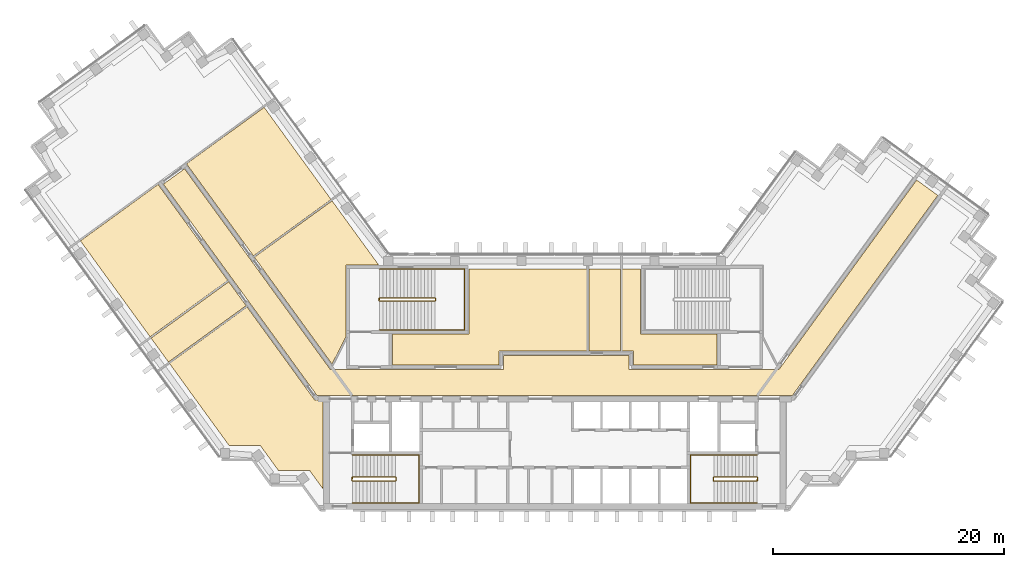
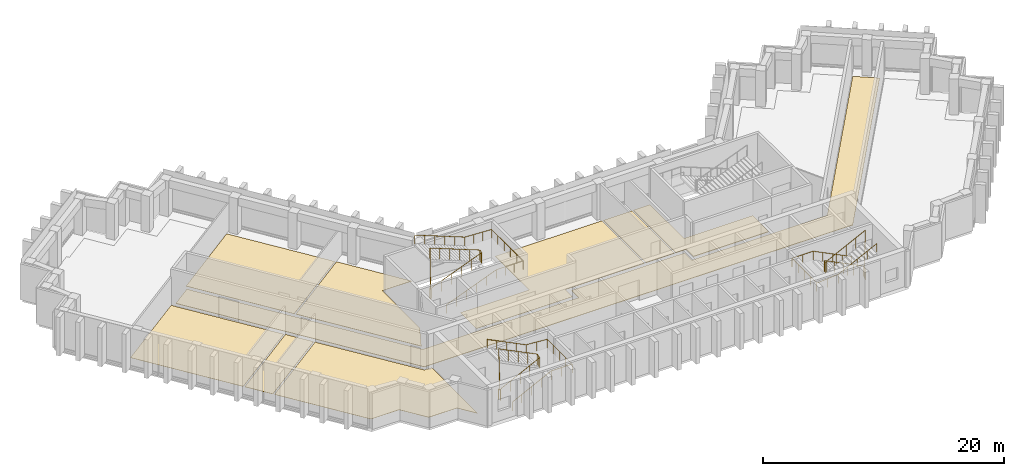
# One storey, part 8 of 9: 9 coverings, 6 railings.
"""IFC4 building model written with IfcOpenShell, lengths in metres."""

from ifc_helpers import new_model, si_unit, direction, frame, origin, origin_2d, place, context, subcontext, project, spatial, polyline, circle, outline, extrude, material, layer, layer_set, type_object, element, save


model = new_model("IFC4")

# Units and contexts
model_context = context("Model", 3, precision=1e-05, world=origin(), true_north=direction((0.0, 1.0)))
body_context = subcontext(model_context, "Body", "Model", "MODEL_VIEW")
ifc_project = project(units=[si_unit("LENGTHUNIT", "METRE"), si_unit("AREAUNIT", "SQUARE_METRE"), si_unit("VOLUMEUNIT", "CUBIC_METRE"), si_unit("PLANEANGLEUNIT", "RADIAN"), si_unit("MASSUNIT", "GRAM", prefix="KILO")], contexts=[model_context])

# Site, building, storey
site_placement = place(None, origin())
site = spatial("IfcSite", under=ifc_project, at=site_placement, CompositionType="ELEMENT")
building_placement = place(site_placement, origin())
building = spatial("IfcBuilding", under=site, at=building_placement, Name="Quipu Civic Tower", CompositionType="ELEMENT")
storey_placement = place(building_placement, frame((0.0, 0.0, 218.0)))
storey = spatial("IfcBuildingStorey", under=building, at=storey_placement, Name="L51", CompositionType="ELEMENT", Elevation=218.0)

# Coverings
ifc_material_1 = material(Name="Carpet tile on raised access floor")
ifc_layer_1 = layer(ifc_material_1, 0.02001953125)
ifc_layer_set_1 = layer_set([ifc_layer_1], Name="Carpet tile on raised access floor")
covering_type_1 = type_object("IfcCoveringType", Name="Carpet tile floor finish 20", PredefinedType="FLOORING", material=ifc_layer_set_1)
covering_1_placement = place(storey_placement, origin())
element("IfcCovering", 1, at=covering_1_placement, inside=storey, type_object=covering_type_1, Name="Carpet tile floor finish 20", PredefinedType="FLOORING", context=body_context, shape_type="SweptSolid", body=[
    extrude(outline(polyline([(-33.344970703125, 1.64501953125), (-26.6220703125, 6.529052734375), (-20.77490234375, -1.51904296875), (-20.070068359375, -1.52001953125), (-20.070068359375, -9.195068359375), (-21.196044921875, -7.64599609375), (-23.89501953125, -7.64599609375), (-25.48193359375, -5.4619140625), (-28.181884765625, -5.4609375), (-33.344970703125, 1.64501953125)])), origin(), (0.0, 0.0, 1.0), 0.02001953125),
])
covering_2_placement = place(storey_placement, origin())
element("IfcCovering", 2, at=covering_2_placement, inside=storey, type_object=covering_type_1, Name="Carpet tile floor finish 20", PredefinedType="FLOORING", context=body_context, shape_type="SweptSolid", body=[
    extrude(outline(polyline([(-14.030029296875, 1.52001953125), (-14.030029296875, 4.179931640625), (-7.429931640625, 4.180908203125), (-7.429931640625, 9.830078125), (2.80908203125, 9.830078125), (2.80908203125, 2.719970703125), (-4.818115234375, 2.719970703125), (-4.820068359375, 1.52001953125), (-14.030029296875, 1.52001953125)])), origin(), (0.0, 0.0, 1.0), 0.02001953125),
])
covering_3_placement = place(storey_placement, origin())
element("IfcCovering", 3, at=covering_3_placement, inside=storey, type_object=covering_type_1, Name="Carpet tile floor finish 20", PredefinedType="FLOORING", context=body_context, shape_type="SweptSolid", body=[
    extrude(outline(polyline([(-41.048095703125, 12.2470703125), (-34.324951171875, 17.131103515625), (-28.2919921875, 8.826904296875), (-35.01611328125, 3.943115234375), (-41.048095703125, 12.2470703125)])), origin(), (0.0, 0.0, 1.0), 0.02001953125),
])
covering_4_placement = place(storey_placement, origin())
element("IfcCovering", 4, at=covering_4_placement, inside=storey, type_object=covering_type_1, Name="Carpet tile floor finish 20", PredefinedType="FLOORING", context=body_context, shape_type="SweptSolid", body=[
    extrude(outline(polyline([(-31.865966796875, 18.9189453125), (-25.14306640625, 23.802978515625), (-19.35107421875, 15.8291015625), (-26.073974609375, 10.946044921875), (-31.865966796875, 18.9189453125)])), origin(), (0.0, 0.0, 1.0), 0.02001953125),
])
ifc_material_2 = material(Name="Ceramic floor tile")
ifc_layer_2 = layer(ifc_material_2, 0.030029296875)
ifc_layer_set_2 = layer_set([ifc_layer_2], Name="Ceramic floor tile")
covering_type_2 = type_object("IfcCoveringType", Name="Ceramic tile floor finish 30", PredefinedType="FLOORING", material=ifc_layer_set_2)
covering_5_placement = place(storey_placement, origin())
element("IfcCovering", 5, at=covering_5_placement, inside=storey, type_object=covering_type_2, Name="Ceramic tile floor finish 30", PredefinedType="FLOORING", context=body_context, shape_type="SweptSolid", body=[
    extrude(outline(polyline([(-25.990966796875, 10.8330078125), (-19.26806640625, 15.716064453125), (-15.238037109375, 10.169921875), (-18.070068359375, 10.1689453125), (-18.070068359375, 3.94189453125), (-19.27197265625, 1.583984375), (-25.990966796875, 10.8330078125)])), origin(), (0.0, 0.0, 1.0), 0.030029296875),
])
covering_6_placement = place(storey_placement, origin())
element("IfcCovering", 6, at=covering_6_placement, inside=storey, type_object=covering_type_2, Name="Ceramic tile floor finish 30", PredefinedType="FLOORING", context=body_context, shape_type="SweptSolid", body=[
    extrude(outline(polyline([(-34.931884765625, 3.830078125), (-28.208984375, 8.714111328125), (-26.705078125, 6.64208984375), (-33.427978515625, 1.758056640625), (-34.931884765625, 3.830078125)])), origin(), (0.0, 0.0, 1.0), 0.030029296875),
])
covering_7_placement = place(storey_placement, origin())
element("IfcCovering", 7, at=covering_7_placement, inside=storey, type_object=covering_type_2, Name="Ceramic tile floor finish 30", PredefinedType="FLOORING", context=body_context, shape_type="SweptSolid", body=[
    extrude(outline(polyline([(2.948974609375, 2.719970703125), (2.948974609375, 9.830078125), (5.68798828125, 9.830078125), (5.68798828125, 2.719970703125), (2.948974609375, 2.719970703125)])), origin(), (0.0, 0.0, 1.0), 0.030029296875),
])
ifc_material_3 = material(Name="Sealed cement screed")
ifc_layer_3 = layer(ifc_material_3, 0.050048828125)
ifc_layer_set_3 = layer_set([ifc_layer_3], Name="Sealed cement screed")
covering_type_3 = type_object("IfcCoveringType", Name="Sealed screed floor finish 50", PredefinedType="FLOORING", material=ifc_layer_set_3)
covering_8_placement = place(storey_placement, origin())
element("IfcCovering", 8, at=covering_8_placement, inside=storey, type_object=covering_type_3, Name="Sealed screed floor finish 50", PredefinedType="FLOORING", context=body_context, shape_type="SweptSolid", body=[
    extrude(outline(polyline([(5.827880859375, 2.719970703125), (5.827880859375, 9.830078125), (7.429931640625, 9.830078125), (7.430908203125, 4.179931640625), (14.030029296875, 4.179931640625), (14.030029296875, 1.52001953125), (6.820068359375, 1.52001953125), (6.820068359375, 2.718994140625), (5.827880859375, 2.719970703125)])), origin(), (0.0, 0.0, 1.0), 0.050048828125),
])

# Railings
ifc_material_4 = material(Name="Stainless steel", Category="steel")
railing_type_1 = type_object("IfcRailingType", Name="Stair guard 1100", PredefinedType="GUARDRAIL", material=ifc_material_4)
railing_1_placement = place(storey_placement, frame((-17.5, -8.550048828125, 0.15380859375)))
element("IfcRailing", 9, at=railing_1_placement, inside=storey, type_object=railing_type_1, Name="Stair 1 guard", PredefinedType="GUARDRAIL", context=body_context, shape_type="SweptSolid", body=[
    extrude(circle(Radius=0.02392578125, at=origin_2d()), frame((0.0, 0.0, 1.076171875), z_axis=(0.895751851347, 0.0, 0.444554407028), x_axis=(0.0, 1.0, 0.0)), (0.0, 0.0, 1.0), 4.15283203125),
    extrude(circle(Radius=0.02392578125, at=origin_2d()), frame((3.719970703125, 0.0, 2.92236328125), z_axis=(0.707106781187, 0.707106781187, 0.0), x_axis=(-0.707106781187, 0.707106781187, 0.0)), (0.0, 0.0, 1.0), 0.07080078125),
    extrude(circle(Radius=0.02392578125, at=origin_2d()), frame((3.77001953125, 0.050048828125, 2.92236328125), z_axis=(0.0, 1.0, 0.0), x_axis=(-1.0, 0.0, 0.0)), (0.0, 0.0, 1.0), 0.25),
    extrude(circle(Radius=0.02392578125, at=origin_2d()), frame((3.77001953125, 0.300048828125, 2.92236328125), z_axis=(-0.295599637079, 0.295599637079, 0.908428152975), x_axis=(-0.707106781187, -0.707106781187, 0.0)), (0.0, 0.0, 1.0), 0.16943359375),
    extrude(circle(Radius=0.02392578125, at=origin_2d()), frame((3.719970703125, 0.35009765625, 3.076171875), z_axis=(-0.895751851347, 0.0, 0.444554407028), x_axis=(0.0, -1.0, 0.0)), (0.0, 0.0, 1.0), 4.15283203125),
    extrude(circle(Radius=0.02392578125, at=origin_2d()), frame((0.0, 0.35009765625, 4.92236328125), z_axis=(-0.012476181752, -0.074796231092, -0.997120789425), x_axis=(0.986372223864, -0.164529134168, 0.0)), (0.0, 0.0, 1.0), 4.011474609375),
    extrude(circle(Radius=0.02392578125, at=origin_2d()), frame((-0.050048828125, 0.050048828125, 0.92236328125), z_axis=(0.0, 1.0, 0.0), x_axis=(-1.0, 0.0, 0.0)), (0.0, 0.0, 1.0), 0.25),
    extrude(circle(Radius=0.02099609375, at=origin_2d()), origin(), (0.0, 0.0, 1.0), 1.052001953125),
    extrude(circle(Radius=0.02099609375, at=origin_2d()), frame((0.929931640625, 0.0, 0.46142578125)), (0.0, 0.0, 1.0), 1.052001953125),
    extrude(circle(Radius=0.02099609375, at=origin_2d()), frame((1.85986328125, 0.0, 0.923095703125)), (0.0, 0.0, 1.0), 1.052001953125),
    extrude(circle(Radius=0.02099609375, at=origin_2d()), frame((2.7900390625, 0.0, 1.384765625)), (0.0, 0.0, 1.0), 1.052001953125),
    extrude(circle(Radius=0.02099609375, at=origin_2d()), frame((3.719970703125, 0.0, 1.84619140625)), (0.0, 0.0, 1.0), 1.052001953125),
    extrude(circle(Radius=0.02099609375, at=origin_2d()), frame((3.77001953125, 0.050048828125, 1.84619140625)), (0.0, 0.0, 1.0), 1.052001953125),
    extrude(circle(Radius=0.02099609375, at=origin_2d()), frame((3.77001953125, 0.300048828125, 1.84619140625)), (0.0, 0.0, 1.0), 1.052001953125),
    extrude(circle(Radius=0.02099609375, at=origin_2d()), frame((3.719970703125, 0.35009765625, 2.0)), (0.0, 0.0, 1.0), 1.052001953125),
    extrude(circle(Radius=0.02099609375, at=origin_2d()), frame((2.7900390625, 0.35009765625, 2.46142578125)), (0.0, 0.0, 1.0), 1.052001953125),
    extrude(circle(Radius=0.02099609375, at=origin_2d()), frame((1.85986328125, 0.35009765625, 2.923095703125)), (0.0, 0.0, 1.0), 1.052001953125),
    extrude(circle(Radius=0.02099609375, at=origin_2d()), frame((0.929931640625, 0.35009765625, 3.384765625)), (0.0, 0.0, 1.0), 1.052001953125),
    extrude(circle(Radius=0.02099609375, at=origin_2d()), frame((0.0, 0.35009765625, 3.84619140625)), (0.0, 0.0, 1.0), 1.052001953125),
    extrude(circle(Radius=0.02099609375, at=origin_2d()), frame((-0.012451171875, 0.275146484375, 2.84619140625)), (0.0, 0.0, 1.0), 1.052001953125),
    extrude(circle(Radius=0.02099609375, at=origin_2d()), frame((-0.02490234375, 0.2001953125, 1.84619140625)), (0.0, 0.0, 1.0), 1.052001953125),
    extrude(circle(Radius=0.02099609375, at=origin_2d()), frame((-0.03759765625, 0.125, 0.84619140625)), (0.0, 0.0, 1.0), 1.052001953125),
    extrude(circle(Radius=0.02099609375, at=origin_2d()), frame((-0.050048828125, 0.050048828125, -0.15380859375)), (0.0, 0.0, 1.0), 1.052001953125),
    extrude(circle(Radius=0.02099609375, at=origin_2d()), frame((-0.050048828125, 0.300048828125, -0.15380859375)), (0.0, 0.0, 1.0), 1.052001953125),
])
railing_2_placement = place(storey_placement, frame((17.5, -8.199951171875, 0.15380859375)))
element("IfcRailing", 10, at=railing_2_placement, inside=storey, type_object=railing_type_1, Name="Stair 2 guard", PredefinedType="GUARDRAIL", context=body_context, shape_type="SweptSolid", body=[
    extrude(circle(Radius=0.02392578125, at=origin_2d()), frame((0.0, 0.0, 1.076171875), z_axis=(-0.895751851347, 0.0, 0.444554407028), x_axis=(0.0, -1.0, 0.0)), (0.0, 0.0, 1.0), 4.15283203125),
    extrude(circle(Radius=0.02392578125, at=origin_2d()), frame((-3.719970703125, 0.0, 2.92236328125), z_axis=(-0.707106781187, -0.707106781187, 0.0), x_axis=(0.707106781187, -0.707106781187, 0.0)), (0.0, 0.0, 1.0), 0.07080078125),
    extrude(circle(Radius=0.02392578125, at=origin_2d()), frame((-3.77001953125, -0.050048828125, 2.92236328125), z_axis=(0.0, -1.0, 0.0), x_axis=(1.0, 0.0, 0.0)), (0.0, 0.0, 1.0), 0.25),
    extrude(circle(Radius=0.02392578125, at=origin_2d()), frame((-3.77001953125, -0.300048828125, 2.92236328125), z_axis=(0.295599637079, -0.295599637079, 0.908428152975), x_axis=(0.707106781187, 0.707106781187, 0.0)), (0.0, 0.0, 1.0), 0.16943359375),
    extrude(circle(Radius=0.02392578125, at=origin_2d()), frame((-3.719970703125, -0.35009765625, 3.076171875), z_axis=(0.895751851347, 0.0, 0.444554407028), x_axis=(0.0, 1.0, 0.0)), (0.0, 0.0, 1.0), 4.15283203125),
    extrude(circle(Radius=0.02392578125, at=origin_2d()), frame((0.0, -0.35009765625, 4.92236328125), z_axis=(0.012476181752, 0.074796231092, -0.997120789425), x_axis=(-0.986372223864, 0.164529134168, 0.0)), (0.0, 0.0, 1.0), 4.011474609375),
    extrude(circle(Radius=0.02392578125, at=origin_2d()), frame((0.050048828125, -0.050048828125, 0.92236328125), z_axis=(0.0, -1.0, 0.0), x_axis=(1.0, 0.0, 0.0)), (0.0, 0.0, 1.0), 0.25),
    extrude(circle(Radius=0.02099609375, at=origin_2d()), origin(), (0.0, 0.0, 1.0), 1.052001953125),
    extrude(circle(Radius=0.02099609375, at=origin_2d()), frame((-0.929931640625, 0.0, 0.46142578125)), (0.0, 0.0, 1.0), 1.052001953125),
    extrude(circle(Radius=0.02099609375, at=origin_2d()), frame((-1.85986328125, 0.0, 0.923095703125)), (0.0, 0.0, 1.0), 1.052001953125),
    extrude(circle(Radius=0.02099609375, at=origin_2d()), frame((-2.7900390625, 0.0, 1.384765625)), (0.0, 0.0, 1.0), 1.052001953125),
    extrude(circle(Radius=0.02099609375, at=origin_2d()), frame((-3.719970703125, 0.0, 1.84619140625)), (0.0, 0.0, 1.0), 1.052001953125),
    extrude(circle(Radius=0.02099609375, at=origin_2d()), frame((-3.77001953125, -0.050048828125, 1.84619140625)), (0.0, 0.0, 1.0), 1.052001953125),
    extrude(circle(Radius=0.02099609375, at=origin_2d()), frame((-3.77001953125, -0.300048828125, 1.84619140625)), (0.0, 0.0, 1.0), 1.052001953125),
    extrude(circle(Radius=0.02099609375, at=origin_2d()), frame((-3.719970703125, -0.35009765625, 2.0)), (0.0, 0.0, 1.0), 1.052001953125),
    extrude(circle(Radius=0.02099609375, at=origin_2d()), frame((-2.7900390625, -0.35009765625, 2.46142578125)), (0.0, 0.0, 1.0), 1.052001953125),
    extrude(circle(Radius=0.02099609375, at=origin_2d()), frame((-1.85986328125, -0.35009765625, 2.923095703125)), (0.0, 0.0, 1.0), 1.052001953125),
    extrude(circle(Radius=0.02099609375, at=origin_2d()), frame((-0.929931640625, -0.35009765625, 3.384765625)), (0.0, 0.0, 1.0), 1.052001953125),
    extrude(circle(Radius=0.02099609375, at=origin_2d()), frame((0.0, -0.35009765625, 3.84619140625)), (0.0, 0.0, 1.0), 1.052001953125),
    extrude(circle(Radius=0.02099609375, at=origin_2d()), frame((0.012451171875, -0.275146484375, 2.84619140625)), (0.0, 0.0, 1.0), 1.052001953125),
    extrude(circle(Radius=0.02099609375, at=origin_2d()), frame((0.02490234375, -0.2001953125, 1.84619140625)), (0.0, 0.0, 1.0), 1.052001953125),
    extrude(circle(Radius=0.02099609375, at=origin_2d()), frame((0.03759765625, -0.125, 0.84619140625)), (0.0, 0.0, 1.0), 1.052001953125),
    extrude(circle(Radius=0.02099609375, at=origin_2d()), frame((0.050048828125, -0.050048828125, -0.15380859375)), (0.0, 0.0, 1.0), 1.052001953125),
    extrude(circle(Radius=0.02099609375, at=origin_2d()), frame((0.050048828125, -0.300048828125, -0.15380859375)), (0.0, 0.0, 1.0), 1.052001953125),
])
railing_3_placement = place(storey_placement, frame((-15.14990234375, 7.050048828125, 0.11767578125)))
element("IfcRailing", 11, at=railing_3_placement, inside=storey, type_object=railing_type_1, Name="Stair 3 guard", PredefinedType="GUARDRAIL", context=body_context, shape_type="SweptSolid", body=[
    extrude(circle(Radius=0.02392578125, at=origin_2d()), frame((0.0, 0.0, 1.076171875), z_axis=(0.930970042603, 0.0, 0.365095576219), x_axis=(0.0, 1.0, 0.0)), (0.0, 0.0, 1.0), 5.15576171875),
    extrude(circle(Radius=0.02392578125, at=origin_2d()), frame((4.7998046875, 0.0, 2.95849609375), z_axis=(0.707106781187, 0.707106781187, 0.0), x_axis=(-0.707106781187, 0.707106781187, 0.0)), (0.0, 0.0, 1.0), 0.07080078125),
    extrude(circle(Radius=0.02392578125, at=origin_2d()), frame((4.849853515625, 0.050048828125, 2.95849609375), z_axis=(0.0, 1.0, 0.0), x_axis=(-1.0, 0.0, 0.0)), (0.0, 0.0, 1.0), 0.14990234375),
    extrude(circle(Radius=0.02392578125, at=origin_2d()), frame((4.849853515625, 0.199951171875, 2.95849609375), z_axis=(-0.364463019033, 0.364463019033, 0.856932561824), x_axis=(-0.707106781187, -0.707106781187, 0.0)), (0.0, 0.0, 1.0), 0.13720703125),
    extrude(circle(Radius=0.02392578125, at=origin_2d()), frame((4.7998046875, 0.25, 3.076171875), z_axis=(-0.930970042603, 0.0, 0.365095576219), x_axis=(0.0, -1.0, 0.0)), (0.0, 0.0, 1.0), 5.15576171875),
    extrude(circle(Radius=0.02392578125, at=origin_2d()), frame((0.0, 0.25, 4.95849609375), z_axis=(-0.012495627992, -0.049921557685, -0.998674970829), x_axis=(0.970072785993, -0.242814311512, 0.0)), (0.0, 0.0, 1.0), 4.00537109375),
    extrude(circle(Radius=0.02392578125, at=origin_2d()), frame((-0.050048828125, 0.050048828125, 0.95849609375), z_axis=(0.0, 1.0, 0.0), x_axis=(-1.0, 0.0, 0.0)), (0.0, 0.0, 1.0), 0.14990234375),
    extrude(circle(Radius=0.02099609375, at=origin_2d()), origin(), (0.0, 0.0, 1.0), 1.052001953125),
    extrude(circle(Radius=0.02099609375, at=origin_2d()), frame((0.9599609375, 0.0, 0.37646484375)), (0.0, 0.0, 1.0), 1.052001953125),
    extrude(circle(Radius=0.02099609375, at=origin_2d()), frame((1.919921875, 0.0, 0.7529296875)), (0.0, 0.0, 1.0), 1.052001953125),
    extrude(circle(Radius=0.02099609375, at=origin_2d()), frame((2.8798828125, 0.0, 1.12939453125)), (0.0, 0.0, 1.0), 1.052001953125),
    extrude(circle(Radius=0.02099609375, at=origin_2d()), frame((3.83984375, 0.0, 1.505859375)), (0.0, 0.0, 1.0), 1.052001953125),
    extrude(circle(Radius=0.02099609375, at=origin_2d()), frame((4.7998046875, 0.0, 1.88232421875)), (0.0, 0.0, 1.0), 1.052001953125),
    extrude(circle(Radius=0.02099609375, at=origin_2d()), frame((4.849853515625, 0.050048828125, 1.88232421875)), (0.0, 0.0, 1.0), 1.052001953125),
    extrude(circle(Radius=0.02099609375, at=origin_2d()), frame((4.849853515625, 0.199951171875, 1.88232421875)), (0.0, 0.0, 1.0), 1.052001953125),
    extrude(circle(Radius=0.02099609375, at=origin_2d()), frame((4.7998046875, 0.25, 2.0)), (0.0, 0.0, 1.0), 1.052001953125),
    extrude(circle(Radius=0.02099609375, at=origin_2d()), frame((3.83984375, 0.25, 2.37646484375)), (0.0, 0.0, 1.0), 1.052001953125),
    extrude(circle(Radius=0.02099609375, at=origin_2d()), frame((2.8798828125, 0.25, 2.7529296875)), (0.0, 0.0, 1.0), 1.052001953125),
    extrude(circle(Radius=0.02099609375, at=origin_2d()), frame((1.919921875, 0.25, 3.12939453125)), (0.0, 0.0, 1.0), 1.052001953125),
    extrude(circle(Radius=0.02099609375, at=origin_2d()), frame((0.9599609375, 0.25, 3.505859375)), (0.0, 0.0, 1.0), 1.052001953125),
    extrude(circle(Radius=0.02099609375, at=origin_2d()), frame((0.0, 0.25, 3.88232421875)), (0.0, 0.0, 1.0), 1.052001953125),
    extrude(circle(Radius=0.02099609375, at=origin_2d()), frame((-0.012451171875, 0.199951171875, 2.88232421875)), (0.0, 0.0, 1.0), 1.052001953125),
    extrude(circle(Radius=0.02099609375, at=origin_2d()), frame((-0.02490234375, 0.14990234375, 1.88232421875)), (0.0, 0.0, 1.0), 1.052001953125),
    extrude(circle(Radius=0.02099609375, at=origin_2d()), frame((-0.03759765625, 0.10009765625, 0.88232421875)), (0.0, 0.0, 1.0), 1.052001953125),
    extrude(circle(Radius=0.02099609375, at=origin_2d()), frame((-0.050048828125, 0.050048828125, -0.11767578125)), (0.0, 0.0, 1.0), 1.052001953125),
    extrude(circle(Radius=0.02099609375, at=origin_2d()), frame((-0.050048828125, 0.199951171875, -0.11767578125)), (0.0, 0.0, 1.0), 1.052001953125),
])
ifc_material_5 = material(Name="Stainless steel", Category="steel")
railing_type_2 = type_object("IfcRailingType", Name="Stair handrail", PredefinedType="HANDRAIL", material=ifc_material_5)
railing_4_placement = place(storey_placement, frame((-17.5, -10.449951171875, 0.15380859375)))
element("IfcRailing", 12, at=railing_4_placement, inside=storey, type_object=railing_type_2, Name="Stair 1 handrail", PredefinedType="HANDRAIL", context=body_context, shape_type="SweptSolid", body=[
    extrude(circle(Radius=0.02392578125, at=origin_2d()), frame((0.0, 0.0, 0.8759765625), z_axis=(0.895751851347, 0.0, 0.444554407028), x_axis=(0.0, 1.0, 0.0)), (0.0, 0.0, 1.0), 4.15283203125),
    extrude(circle(Radius=0.02392578125, at=origin_2d()), frame((3.719970703125, 0.0, 2.72216796875), z_axis=(1.0, 0.0, 0.0), x_axis=(0.0, 1.0, 0.0)), (0.0, 0.0, 1.0), 2.030029296875),
    extrude(circle(Radius=0.02392578125, at=origin_2d()), frame((5.75, 0.0, 2.72216796875), z_axis=(0.0, 1.0, 0.0), x_axis=(-1.0, 0.0, 0.0)), (0.0, 0.0, 1.0), 4.14990234375),
    extrude(circle(Radius=0.02392578125, at=origin_2d()), frame((5.75, 4.14990234375, 2.72216796875), z_axis=(-0.997142003663, 0.0, 0.075550145798), x_axis=(0.0, -1.0, 0.0)), (0.0, 0.0, 1.0), 2.035888671875),
    extrude(circle(Radius=0.02392578125, at=origin_2d()), frame((3.719970703125, 4.14990234375, 2.8759765625), z_axis=(-0.895751851347, 0.0, 0.444554407028), x_axis=(0.0, -1.0, 0.0)), (0.0, 0.0, 1.0), 4.15283203125),
    extrude(circle(Radius=0.02099609375, at=origin_2d()), origin(), (0.0, 0.0, 1.0), 0.851806640625),
    extrude(circle(Radius=0.02099609375, at=origin_2d()), frame((0.929931640625, 0.0, 0.46142578125)), (0.0, 0.0, 1.0), 0.851806640625),
    extrude(circle(Radius=0.02099609375, at=origin_2d()), frame((1.85986328125, 0.0, 0.923095703125)), (0.0, 0.0, 1.0), 0.851806640625),
    extrude(circle(Radius=0.02099609375, at=origin_2d()), frame((2.7900390625, 0.0, 1.384765625)), (0.0, 0.0, 1.0), 0.851806640625),
    extrude(circle(Radius=0.02099609375, at=origin_2d()), frame((3.719970703125, 0.0, 1.84619140625)), (0.0, 0.0, 1.0), 0.851806640625),
    extrude(circle(Radius=0.02099609375, at=origin_2d()), frame((4.73486328125, 0.0, 1.84619140625)), (0.0, 0.0, 1.0), 0.851806640625),
    extrude(circle(Radius=0.02099609375, at=origin_2d()), frame((5.75, 0.0, 1.84619140625)), (0.0, 0.0, 1.0), 0.851806640625),
    extrude(circle(Radius=0.02099609375, at=origin_2d()), frame((5.75, 1.03759765625, 1.84619140625)), (0.0, 0.0, 1.0), 0.851806640625),
    extrude(circle(Radius=0.02099609375, at=origin_2d()), frame((5.75, 2.074951171875, 1.84619140625)), (0.0, 0.0, 1.0), 0.851806640625),
    extrude(circle(Radius=0.02099609375, at=origin_2d()), frame((5.75, 3.1123046875, 1.84619140625)), (0.0, 0.0, 1.0), 0.851806640625),
    extrude(circle(Radius=0.02099609375, at=origin_2d()), frame((5.75, 4.14990234375, 1.84619140625)), (0.0, 0.0, 1.0), 0.851806640625),
    extrude(circle(Radius=0.02099609375, at=origin_2d()), frame((4.73486328125, 4.14990234375, 1.923095703125)), (0.0, 0.0, 1.0), 0.851806640625),
    extrude(circle(Radius=0.02099609375, at=origin_2d()), frame((3.719970703125, 4.14990234375, 2.0)), (0.0, 0.0, 1.0), 0.851806640625),
    extrude(circle(Radius=0.02099609375, at=origin_2d()), frame((2.7900390625, 4.14990234375, 2.46142578125)), (0.0, 0.0, 1.0), 0.851806640625),
    extrude(circle(Radius=0.02099609375, at=origin_2d()), frame((1.85986328125, 4.14990234375, 2.923095703125)), (0.0, 0.0, 1.0), 0.851806640625),
    extrude(circle(Radius=0.02099609375, at=origin_2d()), frame((0.929931640625, 4.14990234375, 3.384765625)), (0.0, 0.0, 1.0), 0.851806640625),
    extrude(circle(Radius=0.02099609375, at=origin_2d()), frame((0.0, 4.14990234375, 3.84619140625)), (0.0, 0.0, 1.0), 0.851806640625),
])
railing_5_placement = place(storey_placement, frame((17.5, -6.300048828125, 0.15380859375)))
element("IfcRailing", 13, at=railing_5_placement, inside=storey, type_object=railing_type_2, Name="Stair 2 handrail", PredefinedType="HANDRAIL", context=body_context, shape_type="SweptSolid", body=[
    extrude(circle(Radius=0.02392578125, at=origin_2d()), frame((0.0, 0.0, 0.8759765625), z_axis=(-0.895751851347, 0.0, 0.444554407028), x_axis=(0.0, -1.0, 0.0)), (0.0, 0.0, 1.0), 4.15283203125),
    extrude(circle(Radius=0.02392578125, at=origin_2d()), frame((-3.719970703125, 0.0, 2.72216796875), z_axis=(-1.0, 0.0, 0.0), x_axis=(0.0, -1.0, 0.0)), (0.0, 0.0, 1.0), 2.030029296875),
    extrude(circle(Radius=0.02392578125, at=origin_2d()), frame((-5.75, 0.0, 2.72216796875), z_axis=(0.0, -1.0, 0.0), x_axis=(1.0, 0.0, 0.0)), (0.0, 0.0, 1.0), 4.14990234375),
    extrude(circle(Radius=0.02392578125, at=origin_2d()), frame((-5.75, -4.14990234375, 2.72216796875), z_axis=(0.997142003663, 0.0, 0.075550145798), x_axis=(0.0, 1.0, 0.0)), (0.0, 0.0, 1.0), 2.035888671875),
    extrude(circle(Radius=0.02392578125, at=origin_2d()), frame((-3.719970703125, -4.14990234375, 2.8759765625), z_axis=(0.895751851347, 0.0, 0.444554407028), x_axis=(0.0, 1.0, 0.0)), (0.0, 0.0, 1.0), 4.15283203125),
    extrude(circle(Radius=0.02099609375, at=origin_2d()), origin(), (0.0, 0.0, 1.0), 0.851806640625),
    extrude(circle(Radius=0.02099609375, at=origin_2d()), frame((-0.929931640625, 0.0, 0.46142578125)), (0.0, 0.0, 1.0), 0.851806640625),
    extrude(circle(Radius=0.02099609375, at=origin_2d()), frame((-1.85986328125, 0.0, 0.923095703125)), (0.0, 0.0, 1.0), 0.851806640625),
    extrude(circle(Radius=0.02099609375, at=origin_2d()), frame((-2.7900390625, 0.0, 1.384765625)), (0.0, 0.0, 1.0), 0.851806640625),
    extrude(circle(Radius=0.02099609375, at=origin_2d()), frame((-3.719970703125, 0.0, 1.84619140625)), (0.0, 0.0, 1.0), 0.851806640625),
    extrude(circle(Radius=0.02099609375, at=origin_2d()), frame((-4.73486328125, 0.0, 1.84619140625)), (0.0, 0.0, 1.0), 0.851806640625),
    extrude(circle(Radius=0.02099609375, at=origin_2d()), frame((-5.75, 0.0, 1.84619140625)), (0.0, 0.0, 1.0), 0.851806640625),
    extrude(circle(Radius=0.02099609375, at=origin_2d()), frame((-5.75, -1.03759765625, 1.84619140625)), (0.0, 0.0, 1.0), 0.851806640625),
    extrude(circle(Radius=0.02099609375, at=origin_2d()), frame((-5.75, -2.074951171875, 1.84619140625)), (0.0, 0.0, 1.0), 0.851806640625),
    extrude(circle(Radius=0.02099609375, at=origin_2d()), frame((-5.75, -3.1123046875, 1.84619140625)), (0.0, 0.0, 1.0), 0.851806640625),
    extrude(circle(Radius=0.02099609375, at=origin_2d()), frame((-5.75, -4.14990234375, 1.84619140625)), (0.0, 0.0, 1.0), 0.851806640625),
    extrude(circle(Radius=0.02099609375, at=origin_2d()), frame((-4.73486328125, -4.14990234375, 1.923095703125)), (0.0, 0.0, 1.0), 0.851806640625),
    extrude(circle(Radius=0.02099609375, at=origin_2d()), frame((-3.719970703125, -4.14990234375, 2.0)), (0.0, 0.0, 1.0), 0.851806640625),
    extrude(circle(Radius=0.02099609375, at=origin_2d()), frame((-2.7900390625, -4.14990234375, 2.46142578125)), (0.0, 0.0, 1.0), 0.851806640625),
    extrude(circle(Radius=0.02099609375, at=origin_2d()), frame((-1.85986328125, -4.14990234375, 2.923095703125)), (0.0, 0.0, 1.0), 0.851806640625),
    extrude(circle(Radius=0.02099609375, at=origin_2d()), frame((-0.929931640625, -4.14990234375, 3.384765625)), (0.0, 0.0, 1.0), 0.851806640625),
    extrude(circle(Radius=0.02099609375, at=origin_2d()), frame((0.0, -4.14990234375, 3.84619140625)), (0.0, 0.0, 1.0), 0.851806640625),
])
railing_6_placement = place(storey_placement, frame((-15.14990234375, 4.550048828125, 0.11767578125)))
element("IfcRailing", 14, at=railing_6_placement, inside=storey, type_object=railing_type_2, Name="Stair 3 handrail", PredefinedType="HANDRAIL", context=body_context, shape_type="SweptSolid", body=[
    extrude(circle(Radius=0.02392578125, at=origin_2d()), frame((0.0, 0.0, 0.8759765625), z_axis=(0.930970042603, 0.0, 0.365095576219), x_axis=(0.0, 1.0, 0.0)), (0.0, 0.0, 1.0), 5.15576171875),
    extrude(circle(Radius=0.02392578125, at=origin_2d()), frame((4.7998046875, 0.0, 2.75830078125), z_axis=(1.0, 0.0, 0.0), x_axis=(0.0, 1.0, 0.0)), (0.0, 0.0, 1.0), 2.550048828125),
    extrude(circle(Radius=0.02392578125, at=origin_2d()), frame((7.349853515625, 0.0, 2.75830078125), z_axis=(0.0, 1.0, 0.0), x_axis=(-1.0, 0.0, 0.0)), (0.0, 0.0, 1.0), 5.25),
    extrude(circle(Radius=0.02392578125, at=origin_2d()), frame((7.349853515625, 5.25, 2.75830078125), z_axis=(-0.998936948642, 0.0, 0.04609742549), x_axis=(0.0, -1.0, 0.0)), (0.0, 0.0, 1.0), 2.552734375),
    extrude(circle(Radius=0.02392578125, at=origin_2d()), frame((4.7998046875, 5.25, 2.8759765625), z_axis=(-0.930970042603, 0.0, 0.365095576219), x_axis=(0.0, -1.0, 0.0)), (0.0, 0.0, 1.0), 5.15576171875),
    extrude(circle(Radius=0.02099609375, at=origin_2d()), origin(), (0.0, 0.0, 1.0), 0.851806640625),
    extrude(circle(Radius=0.02099609375, at=origin_2d()), frame((0.9599609375, 0.0, 0.37646484375)), (0.0, 0.0, 1.0), 0.851806640625),
    extrude(circle(Radius=0.02099609375, at=origin_2d()), frame((1.919921875, 0.0, 0.7529296875)), (0.0, 0.0, 1.0), 0.851806640625),
    extrude(circle(Radius=0.02099609375, at=origin_2d()), frame((2.8798828125, 0.0, 1.12939453125)), (0.0, 0.0, 1.0), 0.851806640625),
    extrude(circle(Radius=0.02099609375, at=origin_2d()), frame((3.83984375, 0.0, 1.505859375)), (0.0, 0.0, 1.0), 0.851806640625),
    extrude(circle(Radius=0.02099609375, at=origin_2d()), frame((4.7998046875, 0.0, 1.88232421875)), (0.0, 0.0, 1.0), 0.851806640625),
    extrude(circle(Radius=0.02099609375, at=origin_2d()), frame((5.64990234375, 0.0, 1.88232421875)), (0.0, 0.0, 1.0), 0.851806640625),
    extrude(circle(Radius=0.02099609375, at=origin_2d()), frame((6.499755859375, 0.0, 1.88232421875)), (0.0, 0.0, 1.0), 0.851806640625),
    extrude(circle(Radius=0.02099609375, at=origin_2d()), frame((7.349853515625, 0.0, 1.88232421875)), (0.0, 0.0, 1.0), 0.851806640625),
    extrude(circle(Radius=0.02099609375, at=origin_2d()), frame((7.349853515625, 1.050048828125, 1.88232421875)), (0.0, 0.0, 1.0), 0.851806640625),
    extrude(circle(Radius=0.02099609375, at=origin_2d()), frame((7.349853515625, 2.10009765625, 1.88232421875)), (0.0, 0.0, 1.0), 0.851806640625),
    extrude(circle(Radius=0.02099609375, at=origin_2d()), frame((7.349853515625, 3.14990234375, 1.88232421875)), (0.0, 0.0, 1.0), 0.851806640625),
    extrude(circle(Radius=0.02099609375, at=origin_2d()), frame((7.349853515625, 4.199951171875, 1.88232421875)), (0.0, 0.0, 1.0), 0.851806640625),
    extrude(circle(Radius=0.02099609375, at=origin_2d()), frame((7.349853515625, 5.25, 1.88232421875)), (0.0, 0.0, 1.0), 0.851806640625),
    extrude(circle(Radius=0.02099609375, at=origin_2d()), frame((6.499755859375, 5.25, 1.921630859375)), (0.0, 0.0, 1.0), 0.851806640625),
    extrude(circle(Radius=0.02099609375, at=origin_2d()), frame((5.64990234375, 5.25, 1.960693359375)), (0.0, 0.0, 1.0), 0.851806640625),
    extrude(circle(Radius=0.02099609375, at=origin_2d()), frame((4.7998046875, 5.25, 2.0)), (0.0, 0.0, 1.0), 0.851806640625),
    extrude(circle(Radius=0.02099609375, at=origin_2d()), frame((3.83984375, 5.25, 2.37646484375)), (0.0, 0.0, 1.0), 0.851806640625),
    extrude(circle(Radius=0.02099609375, at=origin_2d()), frame((2.8798828125, 5.25, 2.7529296875)), (0.0, 0.0, 1.0), 0.851806640625),
    extrude(circle(Radius=0.02099609375, at=origin_2d()), frame((1.919921875, 5.25, 3.12939453125)), (0.0, 0.0, 1.0), 0.851806640625),
    extrude(circle(Radius=0.02099609375, at=origin_2d()), frame((0.9599609375, 5.25, 3.505859375)), (0.0, 0.0, 1.0), 0.851806640625),
    extrude(circle(Radius=0.02099609375, at=origin_2d()), frame((0.0, 5.25, 3.88232421875)), (0.0, 0.0, 1.0), 0.851806640625),
])

# Covering
ifc_material_6 = material(Name="Terrazzo floor finish")
ifc_layer_4 = layer(ifc_material_6, 0.0400390625)
ifc_layer_set_4 = layer_set([ifc_layer_4], Name="Terrazzo floor finish")
covering_type_4 = type_object("IfcCoveringType", Name="Terrazzo floor finish 40", PredefinedType="FLOORING", material=ifc_layer_set_4)
covering_9_placement = place(storey_placement, origin())
element("IfcCovering", 15, at=covering_9_placement, inside=storey, type_object=covering_type_4, Name="Terrazzo floor finish 40", PredefinedType="FLOORING", context=body_context, shape_type="SweptSolid", body=[
    extrude(outline(polyline([(6.429931640625, 1.1298828125), (19.425048828125, 1.1298828125), (31.3291015625, 17.51611328125), (33.157958984375, 16.18798828125), (20.574951171875, -1.1298828125), (-20.574951171875, -1.1298828125), (-33.863037109375, 17.158935546875), (-32.033935546875, 18.487060546875), (-19.425048828125, 1.1298828125), (-4.429931640625, 1.1298828125), (-4.429931640625, 2.330078125), (6.429931640625, 2.330078125), (6.429931640625, 1.1298828125)])), origin(), (0.0, 0.0, 1.0), 0.0400390625),
])

save(model, "model.ifc")
